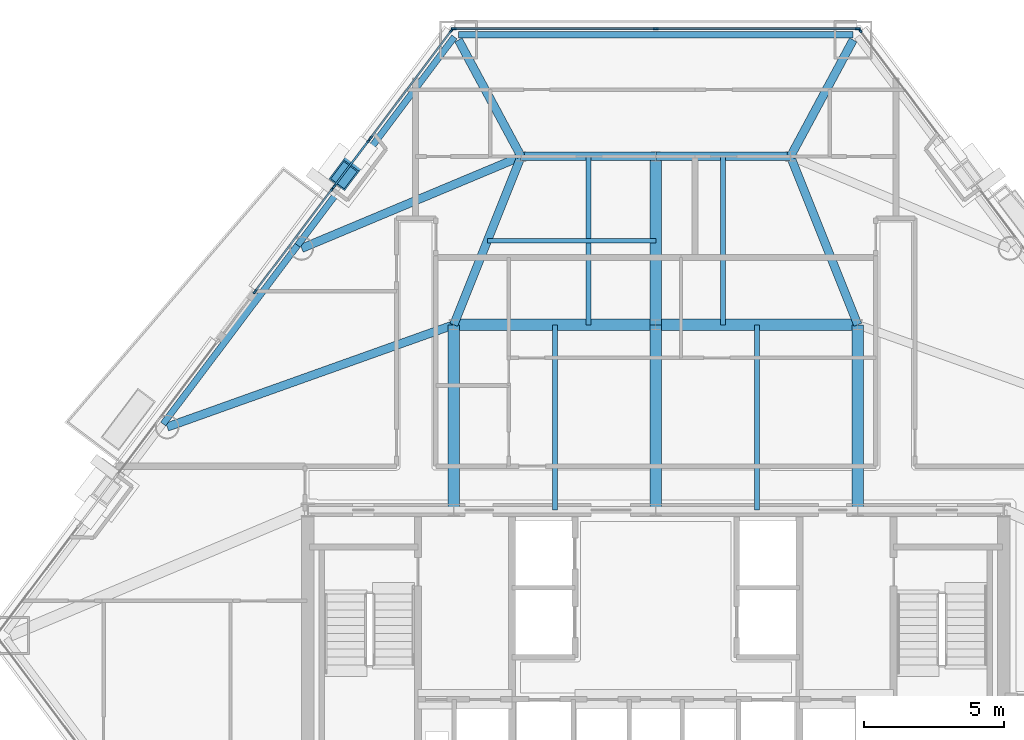
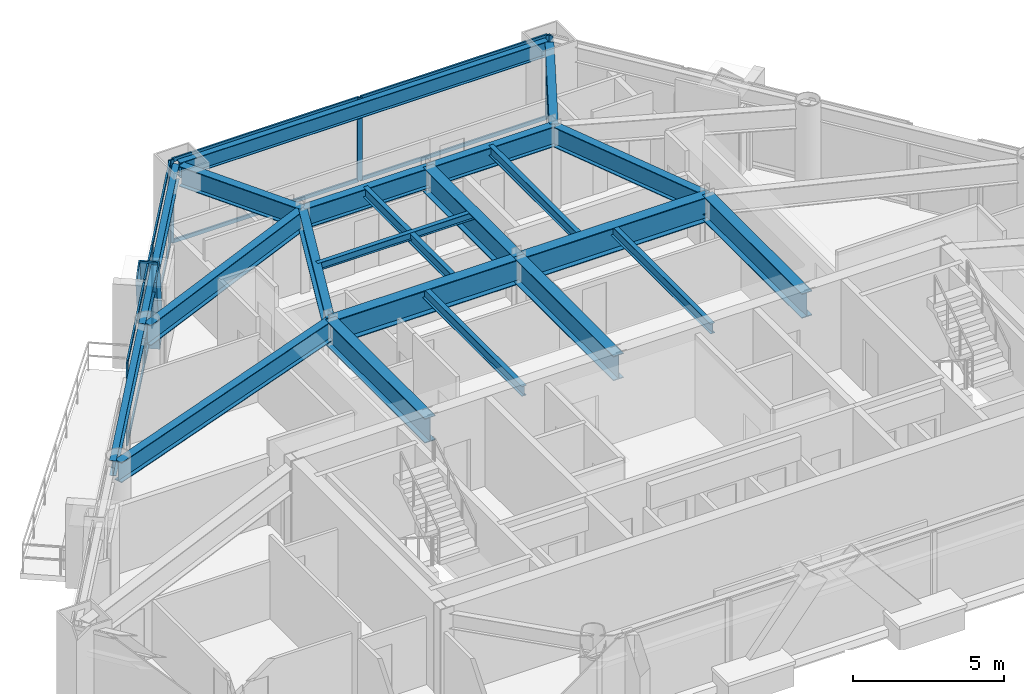
# One storey, part 3 of 11: 22 beams, 21 members, 5 elements without a shape of their own.
"""IFC4 building model written with IfcOpenShell, lengths in metres."""

import ifcopenshell
import ifcopenshell.guid

model = None  # the IFC model being written
_history = None  # IfcOwnerHistory: only IFC2X3 demands one
_inside = {}  # id of a spatial element -> (the spatial element, [elements in it])
_under = {}  # id of a project, library or spatial element -> (it, [spatial elements below it])
_declared = {}  # id of a project -> (the project, [libraries it declares])
_typed = {}  # id of a type object -> (the type object, [elements of that type])
_made_of = {}  # id of a material, layer set ... -> (it, [elements and type objects made of it])


def new_model(schema):
    """Start an empty IFC model of exactly this schema.

    Asked for "IFC4X3", IfcOpenShell would pick the latest addendum, in which some entities
    have other attributes; the version numbers below select the first issue.
    IFC2X3 requires an IfcOwnerHistory on every rooted entity: one is made here for all.
    """
    global model, _history
    if schema == "IFC4X3":
        model = ifcopenshell.file(schema_version=(4, 3, 0, 0))
    else:
        model = ifcopenshell.file(schema=schema)
    _inside.clear()
    _under.clear()
    _declared.clear()
    _typed.clear()
    _made_of.clear()
    _history = None
    if model.schema == "IFC2X3":
        org = make("IfcOrganization", Name="unknown")
        user = make(
            "IfcPersonAndOrganization",
            ThePerson=make("IfcPerson", FamilyName="unknown"),
            TheOrganization=org,
        )
        app = make(
            "IfcApplication",
            ApplicationDeveloper=org,
            Version="unknown",
            ApplicationFullName="unknown",
            ApplicationIdentifier="unknown",
        )
        _history = make(
            "IfcOwnerHistory",
            OwningUser=user,
            OwningApplication=app,
            ChangeAction="ADDED",
            CreationDate=0,
        )
    return model


def make(cls, **values):
    """One entity of the class cls with the attributes given. An attribute that is None is left unset."""
    return model.create_entity(
        cls, **{name: value for name, value in values.items() if value is not None}
    )


def rooted(cls, **values):
    """An entity with a GlobalId (a new one), such as an element, a storey or a relation."""
    return make(cls, GlobalId=ifcopenshell.guid.new(), OwnerHistory=_history, **values)


def si_unit(unit_type, name, prefix=None):
    """IfcSIUnit, for example si_unit("LENGTHUNIT", "METRE", prefix="MILLI")."""
    return make("IfcSIUnit", UnitType=unit_type, Prefix=prefix, Name=name)


def assignment(units):
    """IfcUnitAssignment: the units of a project."""
    return None if units is None else make("IfcUnitAssignment", Units=units)


def point(xyz):
    """IfcCartesianPoint."""
    return None if xyz is None else make("IfcCartesianPoint", Coordinates=xyz)


def direction(xyz):
    """IfcDirection."""
    return None if xyz is None else make("IfcDirection", DirectionRatios=xyz)


def frame(location, z_axis=None, x_axis=None):
    """IfcAxis2Placement3D, a coordinate frame: its origin and axes. An axis left out is left unset."""
    return make(
        "IfcAxis2Placement3D",
        Location=point(location),
        Axis=direction(z_axis),
        RefDirection=direction(x_axis),
    )


def frame_2d(location, x_axis=None):
    """IfcAxis2Placement2D, a coordinate frame in the plane: its origin and x axis."""
    return make(
        "IfcAxis2Placement2D", Location=point(location), RefDirection=direction(x_axis)
    )


def origin():
    """The frame at (0, 0, 0) with its axes left unset."""
    return frame((0.0, 0.0, 0.0))


def origin_2d():
    """The frame at (0, 0) in the plane with its x axis left unset."""
    return frame_2d((0.0, 0.0))


def place(relative_to, where):
    """IfcLocalPlacement: puts the frame where relative to a parent placement (None: the world)."""
    return make(
        "IfcLocalPlacement", PlacementRelTo=relative_to, RelativePlacement=where
    )


def context(
    kind, dimensions, precision=None, world=None, true_north=None, identifier=None
):
    """IfcGeometricRepresentationContext, for example the 3D "Model" context."""
    return make(
        "IfcGeometricRepresentationContext",
        ContextIdentifier=identifier,
        ContextType=kind,
        CoordinateSpaceDimension=dimensions,
        Precision=precision,
        WorldCoordinateSystem=world,
        TrueNorth=true_north,
    )


def subcontext(parent, identifier, kind, view, scale=None):
    """IfcGeometricRepresentationSubContext, for example "Body" below "Model"."""
    return make(
        "IfcGeometricRepresentationSubContext",
        ContextIdentifier=identifier,
        ContextType=kind,
        ParentContext=parent,
        TargetScale=scale,
        TargetView=view,
    )


def project(units=None, contexts=None):
    """IfcProject with its units and contexts."""
    return rooted(
        "IfcProject",
        Name="project",
        RepresentationContexts=contexts,
        UnitsInContext=assignment(units),
    )


def spatial(cls, under=None, at=None, **own):
    """A site, building, storey or space (cls), placed at a placement, below another one or the project."""
    s = rooted(cls, ObjectPlacement=at, **own)
    if under is not None:
        _under.setdefault(under.id(), (under, []))[1].append(s)
    return s


def profile(cls, at=None, kind="AREA", **sizes):
    """A parametric profile (cls). Its sizes go by their IFC names, for example OverallWidth=200.0."""
    return make(cls, ProfileType=kind, Position=at, **sizes)


def rectangle(**sizes):
    """IfcRectangleProfileDef."""
    return profile("IfcRectangleProfileDef", **sizes)


def hollow_rectangle(**sizes):
    """IfcRectangleHollowProfileDef."""
    return profile("IfcRectangleHollowProfileDef", **sizes)


def i_section(**sizes):
    """IfcIShapeProfileDef."""
    return profile("IfcIShapeProfileDef", **sizes)


def extrude(swept, where, along, depth):
    """IfcExtrudedAreaSolid: the profile swept, set in the frame where, extruded along a direction by depth."""
    return make(
        "IfcExtrudedAreaSolid",
        SweptArea=swept,
        Position=where,
        ExtrudedDirection=direction(along),
        Depth=depth,
    )


def shape(context_of_items, identifier, shape_type, items):
    """IfcShapeRepresentation: the items that make up one representation, for example the "Body"."""
    return make(
        "IfcShapeRepresentation",
        ContextOfItems=context_of_items,
        RepresentationIdentifier=identifier,
        RepresentationType=shape_type,
        Items=items,
    )


def material(Name=None, Category=None):
    """IfcMaterial."""
    return make("IfcMaterial", Name=Name, Category=Category)


def layer(
    of_material, thickness, ventilated=None, Name=None, Category=None, Priority=None
):
    """IfcMaterialLayer: one layer of a wall or slab, of a material (None: an air gap)."""
    return make(
        "IfcMaterialLayer",
        Material=of_material,
        LayerThickness=thickness,
        IsVentilated=ventilated,
        Name=Name,
        Category=Category,
        Priority=Priority,
    )


def layer_set(layers, Name=None):
    """IfcMaterialLayerSet."""
    return make("IfcMaterialLayerSet", MaterialLayers=layers, LayerSetName=Name)


def material_profile(
    of_material, cross_section, Name=None, Category=None, Priority=None
):
    """IfcMaterialProfile: a cross section and its material."""
    return make(
        "IfcMaterialProfile",
        Name=Name,
        Material=of_material,
        Profile=cross_section,
        Priority=Priority,
        Category=Category,
    )


def profile_set(profiles, Name=None, composite=None):
    """IfcMaterialProfileSet."""
    return make(
        "IfcMaterialProfileSet",
        Name=Name,
        MaterialProfiles=profiles,
        CompositeProfile=composite,
    )


def made_of(thing, what):
    """Note that an element or type object is made of a material, layer set ...; save() writes the relation."""
    if what is not None:
        _made_of.setdefault(what.id(), (what, []))[1].append(thing)
    return thing


def type_object(cls, material=None, **own):
    """A type object (cls), such as IfcWallType, which elements share."""
    return made_of(rooted(cls, **own), material)


def element(
    cls,
    number,
    at=None,
    inside=None,
    cuts=None,
    type_object=None,
    material=None,
    context=None,
    identifier="Body",
    shape_type=None,
    held_by="IfcProductDefinitionShape",
    body=None,
    shapes=None,
    **own,
):
    """One element of the class cls, such as IfcWall. Its Tag is "e" and its number.

    at: its placement. inside: the storey or other place that contains it. cuts: it is an
    opening in that element (IfcRelVoidsElement). A single representation is given by context,
    identifier, shape_type and body (its items); several are given by shapes. held_by: the class
    of the entity that holds the representations. save() writes the other relations.
    """
    e = rooted(cls, Tag="e%d" % number, ObjectPlacement=at, **own)
    if body is not None:
        shapes = [shape(context, identifier, shape_type, body)]
    if shapes is not None:
        e.Representation = make(held_by, Representations=shapes)
    if inside is not None:
        _inside.setdefault(inside.id(), (inside, []))[1].append(e)
    if cuts is not None:
        rooted(
            "IfcRelVoidsElement", RelatingBuildingElement=cuts, RelatedOpeningElement=e
        )
    if type_object is not None:
        _typed.setdefault(type_object.id(), (type_object, []))[1].append(e)
    return made_of(e, material)


def aggregate(whole, parts):
    """IfcRelAggregates: a whole, such as a stair, and the parts it consists of."""
    return rooted("IfcRelAggregates", RelatingObject=whole, RelatedObjects=parts)


def save(model, path):
    """Write the relations noted so far, then the file.

    IfcRelAggregates (storeys below a building ...), IfcRelContainedInSpatialStructure (elements
    in a storey), IfcRelDefinesByType, IfcRelAssociatesMaterial and IfcRelDeclares: one each for
    every whole, place, type object, material and project.
    """
    for whole, parts in _under.values():
        aggregate(whole, parts)
    for where, things in _inside.values():
        rooted(
            "IfcRelContainedInSpatialStructure",
            RelatedElements=things,
            RelatingStructure=where,
        )
    for kind, things in _typed.values():
        rooted("IfcRelDefinesByType", RelatedObjects=things, RelatingType=kind)
    for what, things in _made_of.values():
        rooted("IfcRelAssociatesMaterial", RelatedObjects=things, RelatingMaterial=what)
    for by, libraries in _declared.values():
        rooted("IfcRelDeclares", RelatingContext=by, RelatedDefinitions=libraries)
    model.write(path)


model = new_model("IFC4")

# Units and contexts
model_context = context("Model", 3, precision=1e-05, world=origin(), true_north=direction((0.0, 1.0)))
body_context = subcontext(model_context, "Body", "Model", "MODEL_VIEW")
ifc_project = project(units=[si_unit("LENGTHUNIT", "METRE"), si_unit("AREAUNIT", "SQUARE_METRE"), si_unit("VOLUMEUNIT", "CUBIC_METRE"), si_unit("PLANEANGLEUNIT", "RADIAN"), si_unit("MASSUNIT", "GRAM", prefix="KILO")], contexts=[model_context])

# Site, building, storey
site_placement = place(None, origin())
site = spatial("IfcSite", under=ifc_project, at=site_placement, CompositionType="ELEMENT")
building_placement = place(site_placement, origin())
building = spatial("IfcBuilding", under=site, at=building_placement, Name="Talgorran Terracotta Tower", CompositionType="ELEMENT")
storey_placement = place(building_placement, frame((0.0, 0.0, 72.0)))
storey = spatial("IfcBuildingStorey", under=building, at=storey_placement, Name="L18", CompositionType="ELEMENT", Elevation=72.0)

# Beams
ifc_material_1 = material(Name="Steel Grade 350 (350L0)", Category="steel")
ifc_material_profile_1 = material_profile(ifc_material_1, i_section(OverallWidth=0.39990234375, OverallDepth=1.0, WebThickness=0.01611328125, FlangeThickness=0.031005859375, at=origin_2d()), Name="1000WB296")
ifc_profile_set_1 = profile_set([ifc_material_profile_1], Name="Steel Grade 350 (350L0)")
beam_type_1 = type_object("IfcBeamType", Name="BM_1000WB296", PredefinedType="BEAM", material=ifc_profile_set_1)
for number, where, z_axis, x_axis, name in (
    (1, (-7.199951171875, -4.199951171875, 2.85009765625), (0.0, 1.0, 0.0), (-1.0, 0.0, 0.0), "L18 Floor Girder G01"),
    (2, (0.0, -4.199951171875, 2.85009765625), (0.0, 1.0, 0.0), (-1.0, 0.0, 0.0), "L18 Floor Girder G02"),
    (3, (7.199951171875, -4.199951171875, 2.85009765625), (0.0, 1.0, 0.0), (-1.0, 0.0, 0.0), "L18 Floor Girder G03"),
):
    element("IfcBeam", number, at=place(storey_placement, frame(where, z_axis=z_axis, x_axis=x_axis)), inside=storey, type_object=beam_type_1, Name=name, PredefinedType="BEAM", context=body_context, shape_type="SweptSolid", body=[
        extrude(i_section(OverallWidth=0.39990234375, OverallDepth=1.0, WebThickness=0.01611328125, FlangeThickness=0.031005859375, at=origin_2d()), origin(), (0.0, 0.0, 1.0), 6.599853515625),
    ])
for number, where, z_axis, x_axis, name in (
    (4, (-7.199951171875, 2.39990234375, 2.85009765625), (1.0, 0.0, 0.0), (0.0, 1.0, 0.0), "L18 Floor Girder G04"),
    (5, (0.0, 2.39990234375, 2.85009765625), (1.0, 0.0, 0.0), (0.0, 1.0, 0.0), "L18 Floor Girder G05"),
):
    element("IfcBeam", number, at=place(storey_placement, frame(where, z_axis=z_axis, x_axis=x_axis)), inside=storey, type_object=beam_type_1, Name=name, PredefinedType="BEAM", context=body_context, shape_type="SweptSolid", body=[
        extrude(i_section(OverallWidth=0.39990234375, OverallDepth=1.0, WebThickness=0.01611328125, FlangeThickness=0.031005859375, at=origin_2d()), origin(), (0.0, 0.0, 1.0), 7.199951171875),
    ])
beam_1_placement = place(storey_placement, frame((0.0, 2.39990234375, 2.85009765625), z_axis=(0.0, 1.0, 0.0), x_axis=(-1.0, 0.0, 0.0)))
element("IfcBeam", 6, at=beam_1_placement, inside=storey, type_object=beam_type_1, Name="L18 Floor Girder G09", PredefinedType="BEAM", context=body_context, shape_type="SweptSolid", body=[
    extrude(i_section(OverallWidth=0.39990234375, OverallDepth=1.0, WebThickness=0.01611328125, FlangeThickness=0.031005859375, at=origin_2d()), origin(), (0.0, 0.0, 1.0), 6.0),
])
ifc_material_2 = material(Name="Steel S355 (300PLUS)", Category="steel")
ifc_material_profile_2 = material_profile(ifc_material_2, i_section(OverallWidth=0.300048828125, OverallDepth=0.81591796875, WebThickness=0.013916015625, FlangeThickness=0.028076171875, at=origin_2d()), Name="800WB192")
ifc_profile_set_2 = profile_set([ifc_material_profile_2], Name="Steel S355 (300PLUS)")
beam_type_2 = type_object("IfcBeamType", Name="BM_800WB192", PredefinedType="BEAM", material=ifc_profile_set_2)
beam_2_placement = place(storey_placement, frame((-7.199951171875, 2.39990234375, 2.94189453125), z_axis=(-0.941876792617, -0.335958490783, 0.0), x_axis=(0.335958490783, -0.941876792617, 0.0)))
element("IfcBeam", 7, at=beam_2_placement, inside=storey, type_object=beam_type_2, Name="L18 Floor Girder G06", PredefinedType="BEAM", context=body_context, shape_type="SweptSolid", body=[
    extrude(i_section(OverallWidth=0.300048828125, OverallDepth=0.81591796875, WebThickness=0.013916015625, FlangeThickness=0.028076171875, at=origin_2d()), origin(), (0.0, 0.0, 1.0), 10.845947265625),
])
for number, where, z_axis, x_axis, name in (
    (8, (-7.199951171875, 2.39990234375, 2.94189453125), (0.371377648723, 0.928481901832, 0.0), (-0.928481901832, 0.371377648723, 0.0), "L18 Floor Girder G08"),
    (9, (7.199951171875, 2.39990234375, 2.94189453125), (-0.371377648723, 0.928481901832, 0.0), (-0.928481901832, -0.371377648723, 0.0), "L18 Floor Girder G10"),
):
    element("IfcBeam", number, at=place(storey_placement, frame(where, z_axis=z_axis, x_axis=x_axis)), inside=storey, type_object=beam_type_2, Name=name, PredefinedType="BEAM", context=body_context, shape_type="SweptSolid", body=[
        extrude(i_section(OverallWidth=0.300048828125, OverallDepth=0.81591796875, WebThickness=0.013916015625, FlangeThickness=0.028076171875, at=origin_2d()), origin(), (0.0, 0.0, 1.0), 6.462158203125),
    ])
for number, where, z_axis, x_axis, name in (
    (10, (-4.800048828125, 8.39990234375, 2.94189453125), (1.0, 0.0, 0.0), (0.0, 1.0, 0.0), "L18 Floor Girder G11"),
    (11, (0.0, 8.39990234375, 2.94189453125), (1.0, 0.0, 0.0), (0.0, 1.0, 0.0), "L18 Floor Girder G12"),
):
    element("IfcBeam", number, at=place(storey_placement, frame(where, z_axis=z_axis, x_axis=x_axis)), inside=storey, type_object=beam_type_2, Name=name, PredefinedType="BEAM", context=body_context, shape_type="SweptSolid", body=[
        extrude(i_section(OverallWidth=0.300048828125, OverallDepth=0.81591796875, WebThickness=0.013916015625, FlangeThickness=0.028076171875, at=origin_2d()), origin(), (0.0, 0.0, 1.0), 4.800048828125),
    ])
beam_3_placement = place(storey_placement, frame((-4.800048828125, 8.39990234375, 2.94189453125), z_axis=(-0.922404506717, -0.386225227023, 0.0), x_axis=(0.386225227023, -0.922404506717, 0.0)))
element("IfcBeam", 12, at=beam_3_placement, inside=storey, type_object=beam_type_2, Name="L18 Floor Girder G13", PredefinedType="BEAM", context=body_context, shape_type="SweptSolid", body=[
    extrude(i_section(OverallWidth=0.300048828125, OverallDepth=0.81591796875, WebThickness=0.013916015625, FlangeThickness=0.028076171875, at=origin_2d()), origin(), (0.0, 0.0, 1.0), 8.482421875),
])
for number, where, z_axis, x_axis, name in (
    (13, (-4.800048828125, 8.39990234375, 2.94189453125), (-0.473809593846, 0.880627315486, 0.0), (-0.880627315486, -0.473809593846, 0.0), "L18 Floor Girder G15"),
    (14, (4.800048828125, 8.39990234375, 2.94189453125), (0.473809593846, 0.880627315486, 0.0), (-0.880627315486, 0.473809593846, 0.0), "L18 Floor Girder G16"),
):
    element("IfcBeam", number, at=place(storey_placement, frame(where, z_axis=z_axis, x_axis=x_axis)), inside=storey, type_object=beam_type_2, Name=name, PredefinedType="BEAM", context=body_context, shape_type="SweptSolid", body=[
        extrude(i_section(OverallWidth=0.300048828125, OverallDepth=0.81591796875, WebThickness=0.013916015625, FlangeThickness=0.028076171875, at=origin_2d()), origin(), (0.0, 0.0, 1.0), 4.7158203125),
    ])
ifc_material_profile_3 = material_profile(ifc_material_2, i_section(OverallWidth=0.177734375, OverallDepth=0.406494140625, WebThickness=0.0078125, FlangeThickness=0.0126953125, at=origin_2d()), Name="410UB59.7")
ifc_profile_set_3 = profile_set([ifc_material_profile_3], Name="Steel S355 (300PLUS)")
beam_type_3 = type_object("IfcBeamType", Name="BM_JS_410UB60", PredefinedType="JOIST", material=ifc_profile_set_3)
for number, where, z_axis, x_axis, name in (
    (15, (-3.60009765625, -4.199951171875, 3.146728515625), (0.0, 1.0, 0.0), (-1.0, 0.0, 0.0), "L18 Secondary Joist J01"),
    (16, (3.60009765625, -4.199951171875, 3.146728515625), (0.0, 1.0, 0.0), (-1.0, 0.0, 0.0), "L18 Secondary Joist J02"),
):
    element("IfcBeam", number, at=place(storey_placement, frame(where, z_axis=z_axis, x_axis=x_axis)), inside=storey, type_object=beam_type_3, Name=name, PredefinedType="JOIST", context=body_context, shape_type="SweptSolid", body=[
        extrude(i_section(OverallWidth=0.177734375, OverallDepth=0.406494140625, WebThickness=0.0078125, FlangeThickness=0.0126953125, at=origin_2d()), origin(), (0.0, 0.0, 1.0), 6.599853515625),
    ])
for number, where, z_axis, x_axis, name in (
    (17, (-2.39990234375, 2.39990234375, 3.146728515625), (0.0, 1.0, 0.0), (-1.0, 0.0, 0.0), "L18 Secondary Joist J03"),
    (18, (2.39990234375, 2.39990234375, 3.146728515625), (0.0, 1.0, 0.0), (-1.0, 0.0, 0.0), "L18 Secondary Joist J04"),
):
    element("IfcBeam", number, at=place(storey_placement, frame(where, z_axis=z_axis, x_axis=x_axis)), inside=storey, type_object=beam_type_3, Name=name, PredefinedType="JOIST", context=body_context, shape_type="SweptSolid", body=[
        extrude(i_section(OverallWidth=0.177734375, OverallDepth=0.406494140625, WebThickness=0.0078125, FlangeThickness=0.0126953125, at=origin_2d()), origin(), (0.0, 0.0, 1.0), 6.0),
    ])
ifc_material_profile_4 = material_profile(ifc_material_2, i_section(OverallWidth=0.1650390625, OverallDepth=0.303955078125, WebThickness=0.006103515625, FlangeThickness=0.01025390625, at=origin_2d()), Name="310UB40.4")
ifc_profile_set_4 = profile_set([ifc_material_profile_4], Name="Steel S355 (300PLUS)")
beam_type_4 = type_object("IfcBeamType", Name="BM_OL_310UB40", PredefinedType="BEAM", material=ifc_profile_set_4)
beam_4_placement = place(storey_placement, frame((-6.0, 5.39990234375, 3.197998046875), z_axis=(1.0, 0.0, 0.0), x_axis=(0.0, 1.0, 0.0)))
element("IfcBeam", 19, at=beam_4_placement, inside=storey, type_object=beam_type_4, Name="L18 Balcony Back-Span Tie Beam OL1", PredefinedType="BEAM", context=body_context, shape_type="SweptSolid", body=[
    extrude(i_section(OverallWidth=0.1650390625, OverallDepth=0.303955078125, WebThickness=0.006103515625, FlangeThickness=0.01025390625, at=origin_2d()), origin(), (0.0, 0.0, 1.0), 6.0),
])
ifc_material_profile_5 = material_profile(ifc_material_2, i_section(OverallWidth=0.22900390625, OverallDepth=0.611572265625, WebThickness=0.011962890625, FlangeThickness=0.01953125, at=origin_2d()), Name="610UB125")
ifc_profile_set_5 = profile_set([ifc_material_profile_5], Name="Steel S355 (300PLUS)")
beam_type_5 = type_object("IfcBeamType", Name="BM_SP_610UB125", PredefinedType="SPANDREL", material=ifc_profile_set_5)
beam_5_placement = place(storey_placement, frame((7.034423828125, 12.73291015625, 3.044189453125), z_axis=(-1.0, 0.0, 0.0), x_axis=(0.0, -1.0, 0.0)))
element("IfcBeam", 20, at=beam_5_placement, inside=storey, type_object=beam_type_5, Name="L18 Perimeter Spandrel Beam MC5-MC6", PredefinedType="SPANDREL", context=body_context, shape_type="SweptSolid", body=[
    extrude(i_section(OverallWidth=0.22900390625, OverallDepth=0.611572265625, WebThickness=0.011962890625, FlangeThickness=0.01953125, at=origin_2d()), origin(), (0.0, 0.0, 1.0), 14.06884765625),
])
beam_6_placement = place(storey_placement, frame((-7.17822265625, 12.660888671875, 3.044189453125), z_axis=(-0.601247141496, -0.799063123191, 0.0), x_axis=(0.799063123191, -0.601247141496, 0.0)))
element("IfcBeam", 21, at=beam_6_placement, inside=storey, type_object=beam_type_5, Name="L18 Perimeter Spandrel Beam MC6-FC5", PredefinedType="SPANDREL", context=body_context, shape_type="SweptSolid", body=[
    extrude(i_section(OverallWidth=0.22900390625, OverallDepth=0.611572265625, WebThickness=0.011962890625, FlangeThickness=0.01953125, at=origin_2d()), origin(), (0.0, 0.0, 1.0), 9.297119140625),
])
beam_7_placement = place(storey_placement, frame((-12.76806640625, 5.23193359375, 3.044189453125), z_axis=(-0.601259066115, -0.799054150489, 0.0), x_axis=(0.799054150489, -0.601259066115, 0.0)))
element("IfcBeam", 22, at=beam_7_placement, inside=storey, type_object=beam_type_5, Name="L18 Perimeter Spandrel Beam FC5-FC6", PredefinedType="SPANDREL", context=body_context, shape_type="SweptSolid", body=[
    extrude(i_section(OverallWidth=0.22900390625, OverallDepth=0.611572265625, WebThickness=0.011962890625, FlangeThickness=0.01953125, at=origin_2d()), origin(), (0.0, 0.0, 1.0), 7.96875),
])

# Member
ifc_material_profile_6 = material_profile(ifc_material_1, hollow_rectangle(XDim=0.699951171875, YDim=0.89990234375, WallThickness=0.050048828125, at=origin_2d()), Name="WBOX900X700X50")
ifc_profile_set_6 = profile_set([ifc_material_profile_6], Name="Steel Grade 350 (350L0)")
member_type_1 = type_object("IfcMemberType", Name="MB_MEGA_900", PredefinedType="BRACE", material=ifc_profile_set_6)
member_1_placement = place(storey_placement, frame((-10.51123046875, 8.531005859375, -0.02490234375), z_axis=(-0.169613959459, -0.225348197153, 0.959400487177), x_axis=(0.798972940561, -0.601366976356, 0.0)))
element("IfcMember", 23, at=member_1_placement, inside=storey, type_object=member_type_1, Name="L18 Exterior Face Mega-Brace MB-1 (NWU)", PredefinedType="BRACE", context=body_context, shape_type="SweptSolid", body=[
    extrude(hollow_rectangle(XDim=0.699951171875, YDim=0.89990234375, WallThickness=0.050048828125, at=origin_2d()), origin(), (0.0, 0.0, 1.0), 3.543701171875),
])

# Curtain wall, member
ifc_material_3 = material(Name="Unitised Low-E Double Glazing", Category="glass")
ifc_layer = layer(ifc_material_3, 0.199951171875, Name="CW_SYS2_RES_LOW")
ifc_layer_set = layer_set([ifc_layer], Name="Unitised Low-E Double Glazing")
curtain_wall_type = type_object("IfcCurtainWallType", Name="CW_SYS2_RES_LOW", PredefinedType="NOTDEFINED", material=ifc_layer_set)
curtain_wall_1_placement = place(storey_placement, origin())
curtain_wall_1 = element("IfcCurtainWall", 24, at=curtain_wall_1_placement, inside=storey, type_object=curtain_wall_type, Name="CW-L18-F41C", PredefinedType="NOTDEFINED")
ifc_material_4 = material(Name="Architectural Aluminium 6063-T6", Category="aluminium")
ifc_material_profile_7 = material_profile(ifc_material_4, rectangle(XDim=0.06494140625, YDim=0.18505859375, at=origin_2d()), Name="CWM65X185")
ifc_profile_set_7 = profile_set([ifc_material_profile_7], Name="Architectural Aluminium 6063-T6")
member_type_2 = type_object("IfcMemberType", Name="MUL_65X185", PredefinedType="MULLION", material=ifc_profile_set_7)
member_2_placement = place(storey_placement, frame((7.277587890625, 12.894775390625, 0.0), z_axis=(0.0, 0.0, 1.0), x_axis=(-0.799059093593, -0.601252496831, 0.0)))
member_2 = element("IfcMember", 25, at=member_2_placement, type_object=member_type_2, Name="CW-L18-41C mullion 2", PredefinedType="MULLION", context=body_context, shape_type="SweptSolid", body=[
    extrude(rectangle(XDim=0.06494140625, YDim=0.18505859375, at=origin_2d()), origin(), (0.0, 0.0, 1.0), 3.35009765625),
])
aggregate(curtain_wall_1, [member_2])

# Curtain wall, members
curtain_wall_2_placement = place(storey_placement, origin())
curtain_wall_2 = element("IfcCurtainWall", 26, at=curtain_wall_2_placement, inside=storey, type_object=curtain_wall_type, Name="CW-L18-F4", PredefinedType="NOTDEFINED")
member_3_placement = place(storey_placement, frame((7.20166015625, 12.952880859375, 0.0), z_axis=(0.0, 0.0, 1.0), x_axis=(0.0, -1.0, 0.0)))
member_3 = element("IfcMember", 27, at=member_3_placement, type_object=member_type_2, Name="CW-L18-4 mullion 1", PredefinedType="MULLION", context=body_context, shape_type="SweptSolid", body=[
    extrude(rectangle(XDim=0.06494140625, YDim=0.18505859375, at=origin_2d()), origin(), (0.0, 0.0, 1.0), 3.35009765625),
])
member_4_placement = place(storey_placement, frame((0.0, 12.952880859375, 0.0), z_axis=(0.0, 0.0, 1.0), x_axis=(0.0, -1.0, 0.0)))
member_4 = element("IfcMember", 28, at=member_4_placement, type_object=member_type_2, Name="CW-L18-4 mullion 2", PredefinedType="MULLION", context=body_context, shape_type="SweptSolid", body=[
    extrude(rectangle(XDim=0.06494140625, YDim=0.18505859375, at=origin_2d()), origin(), (0.0, 0.0, 1.0), 3.35009765625),
])
member_5_placement = place(storey_placement, frame((-7.20166015625, 12.952880859375, 0.0), z_axis=(0.0, 0.0, 1.0), x_axis=(0.0, -1.0, 0.0)))
member_5 = element("IfcMember", 29, at=member_5_placement, type_object=member_type_2, Name="CW-L18-4 mullion 3", PredefinedType="MULLION", context=body_context, shape_type="SweptSolid", body=[
    extrude(rectangle(XDim=0.06494140625, YDim=0.18505859375, at=origin_2d()), origin(), (0.0, 0.0, 1.0), 3.35009765625),
])

curtain_wall_3_placement = place(storey_placement, origin())
curtain_wall_3 = element("IfcCurtainWall", 30, at=curtain_wall_3_placement, inside=storey, type_object=curtain_wall_type, Name="CW-L18-F60", PredefinedType="NOTDEFINED")
member_6_placement = place(storey_placement, frame((-7.277587890625, 12.894775390625, 0.0), z_axis=(0.0, 0.0, 1.0), x_axis=(0.7990689447, -0.601239404577, 0.0)))
member_6 = element("IfcMember", 31, at=member_6_placement, type_object=member_type_2, Name="CW-L18-60 mullion 1", PredefinedType="MULLION", context=body_context, shape_type="SweptSolid", body=[
    extrude(rectangle(XDim=0.06494140625, YDim=0.18505859375, at=origin_2d()), origin(), (0.0, 0.0, 1.0), 3.35009765625),
])
member_7_placement = place(storey_placement, frame((-10.170654296875, 9.0498046875, 0.0), z_axis=(0.0, 0.0, 1.0), x_axis=(0.7990689447, -0.601239404577, 0.0)))
member_7 = element("IfcMember", 32, at=member_7_placement, type_object=member_type_2, Name="CW-L18-60 mullion 2", PredefinedType="MULLION", context=body_context, shape_type="SweptSolid", body=[
    extrude(rectangle(XDim=0.06494140625, YDim=0.18505859375, at=origin_2d()), origin(), (0.0, 0.0, 1.0), 3.35009765625),
])

curtain_wall_4_placement = place(storey_placement, origin())
curtain_wall_4 = element("IfcCurtainWall", 33, at=curtain_wall_4_placement, inside=storey, type_object=curtain_wall_type, Name="CW-L18-F60B", PredefinedType="NOTDEFINED")
member_8_placement = place(storey_placement, frame((-10.2158203125, 8.98974609375, 0.0), z_axis=(0.0, 0.0, 1.0), x_axis=(0.799084982289, -0.601218089449, 0.0)))
member_8 = element("IfcMember", 34, at=member_8_placement, type_object=member_type_2, Name="CW-L18-60B mullion 1", PredefinedType="MULLION", context=body_context, shape_type="SweptSolid", body=[
    extrude(rectangle(XDim=0.06494140625, YDim=0.18505859375, at=origin_2d()), origin(), (0.0, 0.0, 1.0), 3.35009765625),
])
member_9_placement = place(storey_placement, frame((-11.47119140625, 7.3212890625, 0.0), z_axis=(0.0, 0.0, 1.0), x_axis=(0.799084982289, -0.601218089449, 0.0)))
member_9 = element("IfcMember", 35, at=member_9_placement, type_object=member_type_2, Name="CW-L18-60B mullion 2", PredefinedType="MULLION", context=body_context, shape_type="SweptSolid", body=[
    extrude(rectangle(XDim=0.06494140625, YDim=0.18505859375, at=origin_2d()), origin(), (0.0, 0.0, 1.0), 3.35009765625),
])

curtain_wall_5_placement = place(storey_placement, origin())
curtain_wall_5 = element("IfcCurtainWall", 36, at=curtain_wall_5_placement, inside=storey, type_object=curtain_wall_type, Name="CW-L18-F60C", PredefinedType="NOTDEFINED")
member_10_placement = place(storey_placement, frame((-11.516357421875, 7.261474609375, 0.0), z_axis=(0.0, 0.0, 1.0), x_axis=(0.799061476191, -0.601249330367, 0.0)))
member_10 = element("IfcMember", 37, at=member_10_placement, type_object=member_type_2, Name="CW-L18-60C mullion 1", PredefinedType="MULLION", context=body_context, shape_type="SweptSolid", body=[
    extrude(rectangle(XDim=0.06494140625, YDim=0.18505859375, at=origin_2d()), origin(), (0.0, 0.0, 1.0), 3.35009765625),
])
member_11_placement = place(storey_placement, frame((-14.278564453125, 3.590576171875, 0.0), z_axis=(0.0, 0.0, 1.0), x_axis=(0.799061476191, -0.601249330367, 0.0)))
member_11 = element("IfcMember", 38, at=member_11_placement, type_object=member_type_2, Name="CW-L18-60C mullion 2", PredefinedType="MULLION", context=body_context, shape_type="SweptSolid", body=[
    extrude(rectangle(XDim=0.06494140625, YDim=0.18505859375, at=origin_2d()), origin(), (0.0, 0.0, 1.0), 3.35009765625),
])

# Member
ifc_material_profile_8 = material_profile(ifc_material_4, rectangle(XDim=0.06494140625, YDim=0.14990234375, at=origin_2d()), Name="CWT65X150")
ifc_profile_set_8 = profile_set([ifc_material_profile_8], Name="Architectural Aluminium 6063-T6")
member_type_3 = type_object("IfcMemberType", Name="TRN_65X150", PredefinedType="USERDEFINED", material=ifc_profile_set_8)
member_12_placement = place(storey_placement, frame((7.169189453125, 12.952880859375, 0.032470703125), z_axis=(-1.0, 0.0, 0.0), x_axis=(0.0, -1.0, 0.0)))
member_12 = element("IfcMember", 39, at=member_12_placement, type_object=member_type_3, Name="CW-L18-4 transom 1.1", ObjectType="TRANSOM", PredefinedType="USERDEFINED", context=body_context, shape_type="SweptSolid", body=[
    extrude(rectangle(XDim=0.06494140625, YDim=0.14990234375, at=origin_2d()), origin(), (0.0, 0.0, 1.0), 7.13671875),
])

member_13_placement = place(storey_placement, frame((7.169189453125, 12.952880859375, 3.3173828125), z_axis=(-1.0, 0.0, 0.0), x_axis=(0.0, -1.0, 0.0)))
member_13 = element("IfcMember", 40, at=member_13_placement, type_object=member_type_3, Name="CW-L18-4 transom 1.2", ObjectType="TRANSOM", PredefinedType="USERDEFINED", context=body_context, shape_type="SweptSolid", body=[
    extrude(rectangle(XDim=0.06494140625, YDim=0.14990234375, at=origin_2d()), origin(), (0.0, 0.0, 1.0), 7.13671875),
])

member_14_placement = place(storey_placement, frame((-0.032470703125, 12.952880859375, 0.032470703125), z_axis=(-1.0, 0.0, 0.0), x_axis=(0.0, -1.0, 0.0)))
member_14 = element("IfcMember", 41, at=member_14_placement, type_object=member_type_3, Name="CW-L18-4 transom 2.1", ObjectType="TRANSOM", PredefinedType="USERDEFINED", context=body_context, shape_type="SweptSolid", body=[
    extrude(rectangle(XDim=0.06494140625, YDim=0.14990234375, at=origin_2d()), origin(), (0.0, 0.0, 1.0), 7.13671875),
])

member_15_placement = place(storey_placement, frame((-0.032470703125, 12.952880859375, 3.3173828125), z_axis=(-1.0, 0.0, 0.0), x_axis=(0.0, -1.0, 0.0)))
member_15 = element("IfcMember", 42, at=member_15_placement, type_object=member_type_3, Name="CW-L18-4 transom 2.2", ObjectType="TRANSOM", PredefinedType="USERDEFINED", context=body_context, shape_type="SweptSolid", body=[
    extrude(rectangle(XDim=0.06494140625, YDim=0.14990234375, at=origin_2d()), origin(), (0.0, 0.0, 1.0), 7.13671875),
])

aggregate(curtain_wall_2, [member_3, member_4, member_5, member_12, member_13, member_14, member_15])

member_16_placement = place(storey_placement, frame((-7.297119140625, 12.868896484375, 0.032470703125), z_axis=(-0.601225404259, -0.799079478697, 0.0), x_axis=(0.799079478697, -0.601225404259, 0.0)))
member_16 = element("IfcMember", 43, at=member_16_placement, type_object=member_type_3, Name="CW-L18-60 transom 1.1", ObjectType="TRANSOM", PredefinedType="USERDEFINED", context=body_context, shape_type="SweptSolid", body=[
    extrude(rectangle(XDim=0.06494140625, YDim=0.14990234375, at=origin_2d()), origin(), (0.0, 0.0, 1.0), 4.7470703125),
])

member_17_placement = place(storey_placement, frame((-7.297119140625, 12.868896484375, 3.3173828125), z_axis=(-0.601225404259, -0.799079478697, 0.0), x_axis=(0.799079478697, -0.601225404259, 0.0)))
member_17 = element("IfcMember", 44, at=member_17_placement, type_object=member_type_3, Name="CW-L18-60 transom 1.2", ObjectType="TRANSOM", PredefinedType="USERDEFINED", context=body_context, shape_type="SweptSolid", body=[
    extrude(rectangle(XDim=0.06494140625, YDim=0.14990234375, at=origin_2d()), origin(), (0.0, 0.0, 1.0), 4.7470703125),
])

aggregate(curtain_wall_3, [member_6, member_7, member_16, member_17])

member_18_placement = place(storey_placement, frame((-10.235595703125, 8.9638671875, 0.032470703125), z_axis=(-0.60117732399, -0.799115651905, 0.0), x_axis=(0.799115651905, -0.60117732399, 0.0)))
member_18 = element("IfcMember", 45, at=member_18_placement, type_object=member_type_3, Name="CW-L18-60B transom 1.1", ObjectType="TRANSOM", PredefinedType="USERDEFINED", context=body_context, shape_type="SweptSolid", body=[
    extrude(rectangle(XDim=0.06494140625, YDim=0.14990234375, at=origin_2d()), origin(), (0.0, 0.0, 1.0), 2.022705078125),
])

member_19_placement = place(storey_placement, frame((-10.235595703125, 8.9638671875, 3.3173828125), z_axis=(-0.60117732399, -0.799115651905, 0.0), x_axis=(0.799115651905, -0.60117732399, 0.0)))
member_19 = element("IfcMember", 46, at=member_19_placement, type_object=member_type_3, Name="CW-L18-60B transom 1.2", ObjectType="TRANSOM", PredefinedType="USERDEFINED", context=body_context, shape_type="SweptSolid", body=[
    extrude(rectangle(XDim=0.06494140625, YDim=0.14990234375, at=origin_2d()), origin(), (0.0, 0.0, 1.0), 2.022705078125),
])

aggregate(curtain_wall_4, [member_8, member_9, member_18, member_19])

member_20_placement = place(storey_placement, frame((-11.535888671875, 7.2353515625, 0.032470703125), z_axis=(-0.601267114746, -0.799048094125, 0.0), x_axis=(0.799048094125, -0.601267114746, 0.0)))
member_20 = element("IfcMember", 47, at=member_20_placement, type_object=member_type_3, Name="CW-L18-60C transom 1.1", ObjectType="TRANSOM", PredefinedType="USERDEFINED", context=body_context, shape_type="SweptSolid", body=[
    extrude(rectangle(XDim=0.06494140625, YDim=0.14990234375, at=origin_2d()), origin(), (0.0, 0.0, 1.0), 4.529052734375),
])

member_21_placement = place(storey_placement, frame((-11.535888671875, 7.2353515625, 3.3173828125), z_axis=(-0.601267114746, -0.799048094125, 0.0), x_axis=(0.799048094125, -0.601267114746, 0.0)))
member_21 = element("IfcMember", 48, at=member_21_placement, type_object=member_type_3, Name="CW-L18-60C transom 1.2", ObjectType="TRANSOM", PredefinedType="USERDEFINED", context=body_context, shape_type="SweptSolid", body=[
    extrude(rectangle(XDim=0.06494140625, YDim=0.14990234375, at=origin_2d()), origin(), (0.0, 0.0, 1.0), 4.529052734375),
])

aggregate(curtain_wall_5, [member_10, member_11, member_20, member_21])

save(model, "model.ifc")
